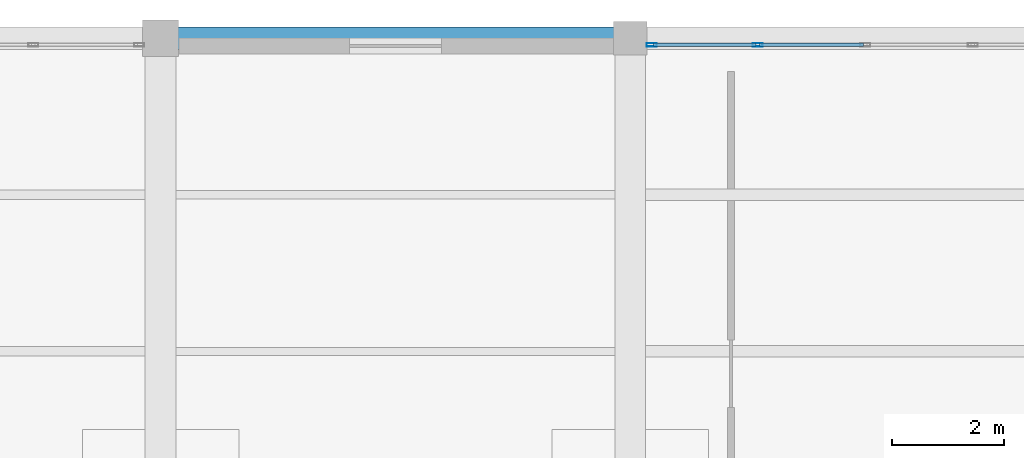
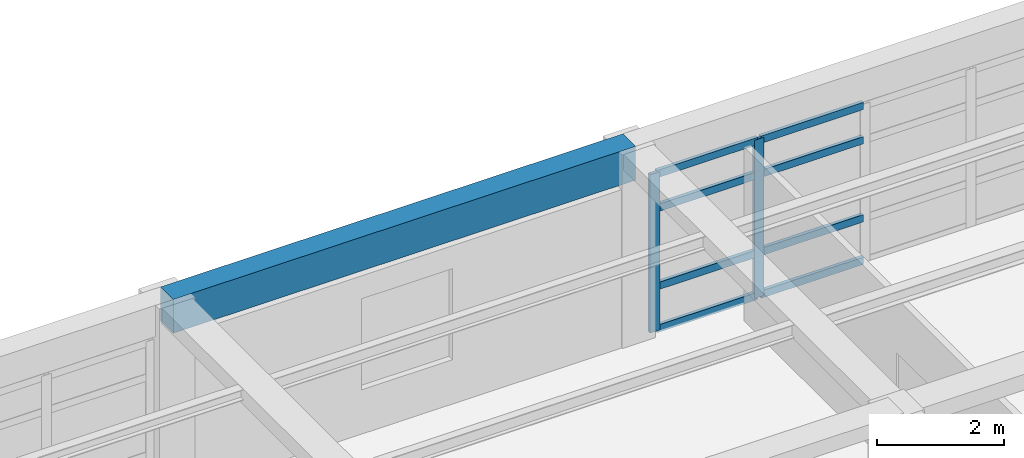
# One storey, part 19 of 26: 10 members, 1 beam, 1 element without a shape of its own.
"""IFC4 building model written with IfcOpenShell, lengths in metres."""

from ifc_helpers import new_model, si_unit, direction, frame, origin, origin_2d, place, context, subcontext, project, spatial, rectangle, hollow_rectangle, extrude, material, material_profile, profile_set, type_object, element, aggregate, save


model = new_model("IFC4")

# Units and contexts
model_context = context("Model", 3, precision=1e-05, world=origin(), true_north=direction((0.0, 1.0)))
body_context = subcontext(model_context, "Body", "Model", "MODEL_VIEW")
ifc_project = project(units=[si_unit("LENGTHUNIT", "METRE"), si_unit("AREAUNIT", "SQUARE_METRE"), si_unit("VOLUMEUNIT", "CUBIC_METRE"), si_unit("PLANEANGLEUNIT", "RADIAN"), si_unit("MASSUNIT", "GRAM", prefix="KILO")], contexts=[model_context])

# Site, building, storey
site_placement = place(None, origin())
site = spatial("IfcSite", under=ifc_project, at=site_placement, CompositionType="ELEMENT")
building_placement = place(site_placement, origin())
building = spatial("IfcBuilding", under=site, at=building_placement, Name="Almacenes y Pasaje Nevantli", CompositionType="ELEMENT")
storey_placement = place(building_placement, frame((0.0, 0.0, 42.699951171875)))
storey = spatial("IfcBuildingStorey", under=building, at=storey_placement, Name="L10", CompositionType="ELEMENT", Elevation=42.699951171875)

# Beam
ifc_material_1 = material(Name="Concrete C35/45", Category="concrete")
ifc_material_profile_1 = material_profile(ifc_material_1, rectangle(XDim=0.39990234375, YDim=0.64990234375, at=origin_2d()), Name="RC-BM-400x650")
ifc_profile_set_1 = profile_set([ifc_material_profile_1], Name="Concrete C35/45")
beam_type = type_object("IfcBeamType", Name="BM-RC-400x650", PredefinedType="SPANDREL", material=ifc_profile_set_1)
beam_placement = place(storey_placement, frame((134.39990234375, 100.800048828125, 3.39501953125), z_axis=(1.0, 0.0, 0.0), x_axis=(0.0, 1.0, 0.0)))
element("IfcBeam", 1, at=beam_placement, inside=storey, type_object=beam_type, Name="L10 East-West Reinforced Concrete Beam #3819", PredefinedType="SPANDREL", context=body_context, shape_type="SweptSolid", body=[
    extrude(rectangle(XDim=0.39990234375, YDim=0.64990234375, at=origin_2d()), origin(), (0.0, 0.0, 1.0), 8.400146484375),
])

# Curtain wall, members
ifc_material_2 = material(Name="Thermally Broken Aluminium and Low-E Glass", Category="aluminium")
curtain_wall_type = type_object("IfcCurtainWallType", Name="CW-UNIT-TOWER", PredefinedType="USERDEFINED", material=ifc_material_2)
curtain_wall_placement = place(storey_placement, origin())
curtain_wall = element("IfcCurtainWall", 2, at=curtain_wall_placement, inside=storey, type_object=curtain_wall_type, Name="L10 Tower North Boulevard Unitized Curtain Wall Bay 18", ObjectType="UNITIZED CURTAIN WALL", PredefinedType="USERDEFINED")
ifc_material_3 = material(Name="Thermally Broken Anodized Aluminium", Category="aluminium")
ifc_material_profile_2 = material_profile(ifc_material_3, hollow_rectangle(XDim=0.06494140625, YDim=0.179931640625, WallThickness=0.00390625, at=origin_2d()), Name="ALU-MUL-65x180")
ifc_profile_set_2 = profile_set([ifc_material_profile_2], Name="Thermally Broken Anodized Aluminium")
member_type_1 = type_object("IfcMemberType", Name="CW-MUL-200", PredefinedType="MULLION", material=ifc_profile_set_2)
member_1_placement = place(storey_placement, frame((143.1826171875, 100.679931640625, 0.0), z_axis=(0.0, 0.0, 1.0), x_axis=(0.0, 1.0, 0.0)))
member_1 = element("IfcMember", 3, at=member_1_placement, type_object=member_type_1, Name="CW-L10-144 mullion 1", PredefinedType="MULLION", context=body_context, shape_type="SweptSolid", body=[
    extrude(hollow_rectangle(XDim=0.06494140625, YDim=0.179931640625, WallThickness=0.00390625, at=origin_2d()), origin(), (0.0, 0.0, 1.0), 3.0400390625),
])
member_2_placement = place(storey_placement, frame((145.074951171875, 100.679931640625, 0.0), z_axis=(0.0, 0.0, 1.0), x_axis=(0.0, 1.0, 0.0)))
member_2 = element("IfcMember", 4, at=member_2_placement, type_object=member_type_1, Name="CW-L10-144 mullion 2", PredefinedType="MULLION", context=body_context, shape_type="SweptSolid", body=[
    extrude(hollow_rectangle(XDim=0.06494140625, YDim=0.179931640625, WallThickness=0.00390625, at=origin_2d()), origin(), (0.0, 0.0, 1.0), 3.0400390625),
])
ifc_material_4 = material(Name="Thermally Broken Anodized Aluminium", Category="aluminium")
ifc_material_profile_3 = material_profile(ifc_material_4, hollow_rectangle(XDim=0.06494140625, YDim=0.139892578125, WallThickness=0.00390625, at=origin_2d()), Name="ALU-TRN-65x140")
ifc_profile_set_3 = profile_set([ifc_material_profile_3], Name="Thermally Broken Anodized Aluminium")
member_type_2 = type_object("IfcMemberType", Name="CW-TRN-150", PredefinedType="USERDEFINED", material=ifc_profile_set_3)
member_3_placement = place(storey_placement, frame((143.215087890625, 100.679931640625, 0.032470703125), z_axis=(1.0, 0.0, 0.0), x_axis=(0.0, 1.0, 0.0)))
member_3 = element("IfcMember", 5, at=member_3_placement, type_object=member_type_2, Name="CW-L10-144 transom 1.1", ObjectType="TRANSOM", PredefinedType="USERDEFINED", context=body_context, shape_type="SweptSolid", body=[
    extrude(hollow_rectangle(XDim=0.06494140625, YDim=0.139892578125, WallThickness=0.00390625, at=origin_2d()), origin(), (0.0, 0.0, 1.0), 1.827392578125),
])
member_4_placement = place(storey_placement, frame((143.215087890625, 100.679931640625, 0.85009765625), z_axis=(1.0, 0.0, 0.0), x_axis=(0.0, 1.0, 0.0)))
member_4 = element("IfcMember", 6, at=member_4_placement, type_object=member_type_2, Name="CW-L10-144 transom 1.2", ObjectType="TRANSOM", PredefinedType="USERDEFINED", context=body_context, shape_type="SweptSolid", body=[
    extrude(hollow_rectangle(XDim=0.06494140625, YDim=0.139892578125, WallThickness=0.00390625, at=origin_2d()), origin(), (0.0, 0.0, 1.0), 1.827392578125),
])
member_5_placement = place(storey_placement, frame((143.215087890625, 100.679931640625, 2.35009765625), z_axis=(1.0, 0.0, 0.0), x_axis=(0.0, 1.0, 0.0)))
member_5 = element("IfcMember", 7, at=member_5_placement, type_object=member_type_2, Name="CW-L10-144 transom 1.3", ObjectType="TRANSOM", PredefinedType="USERDEFINED", context=body_context, shape_type="SweptSolid", body=[
    extrude(hollow_rectangle(XDim=0.06494140625, YDim=0.139892578125, WallThickness=0.00390625, at=origin_2d()), origin(), (0.0, 0.0, 1.0), 1.827392578125),
])
member_6_placement = place(storey_placement, frame((143.215087890625, 100.679931640625, 3.007568359375), z_axis=(1.0, 0.0, 0.0), x_axis=(0.0, 1.0, 0.0)))
member_6 = element("IfcMember", 8, at=member_6_placement, type_object=member_type_2, Name="CW-L10-144 transom 1.4", ObjectType="TRANSOM", PredefinedType="USERDEFINED", context=body_context, shape_type="SweptSolid", body=[
    extrude(hollow_rectangle(XDim=0.06494140625, YDim=0.139892578125, WallThickness=0.00390625, at=origin_2d()), origin(), (0.0, 0.0, 1.0), 1.827392578125),
])
member_7_placement = place(storey_placement, frame((145.107421875, 100.679931640625, 0.032470703125), z_axis=(1.0, 0.0, 0.0), x_axis=(0.0, 1.0, 0.0)))
member_7 = element("IfcMember", 9, at=member_7_placement, type_object=member_type_2, Name="CW-L10-144 transom 2.1", ObjectType="TRANSOM", PredefinedType="USERDEFINED", context=body_context, shape_type="SweptSolid", body=[
    extrude(hollow_rectangle(XDim=0.06494140625, YDim=0.139892578125, WallThickness=0.00390625, at=origin_2d()), origin(), (0.0, 0.0, 1.0), 1.860107421875),
])
member_8_placement = place(storey_placement, frame((145.107421875, 100.679931640625, 0.85009765625), z_axis=(1.0, 0.0, 0.0), x_axis=(0.0, 1.0, 0.0)))
member_8 = element("IfcMember", 10, at=member_8_placement, type_object=member_type_2, Name="CW-L10-144 transom 2.2", ObjectType="TRANSOM", PredefinedType="USERDEFINED", context=body_context, shape_type="SweptSolid", body=[
    extrude(hollow_rectangle(XDim=0.06494140625, YDim=0.139892578125, WallThickness=0.00390625, at=origin_2d()), origin(), (0.0, 0.0, 1.0), 1.860107421875),
])
member_9_placement = place(storey_placement, frame((145.107421875, 100.679931640625, 2.35009765625), z_axis=(1.0, 0.0, 0.0), x_axis=(0.0, 1.0, 0.0)))
member_9 = element("IfcMember", 11, at=member_9_placement, type_object=member_type_2, Name="CW-L10-144 transom 2.3", ObjectType="TRANSOM", PredefinedType="USERDEFINED", context=body_context, shape_type="SweptSolid", body=[
    extrude(hollow_rectangle(XDim=0.06494140625, YDim=0.139892578125, WallThickness=0.00390625, at=origin_2d()), origin(), (0.0, 0.0, 1.0), 1.860107421875),
])
member_10_placement = place(storey_placement, frame((145.107421875, 100.679931640625, 3.007568359375), z_axis=(1.0, 0.0, 0.0), x_axis=(0.0, 1.0, 0.0)))
member_10 = element("IfcMember", 12, at=member_10_placement, type_object=member_type_2, Name="CW-L10-144 transom 2.4", ObjectType="TRANSOM", PredefinedType="USERDEFINED", context=body_context, shape_type="SweptSolid", body=[
    extrude(hollow_rectangle(XDim=0.06494140625, YDim=0.139892578125, WallThickness=0.00390625, at=origin_2d()), origin(), (0.0, 0.0, 1.0), 1.860107421875),
])
aggregate(curtain_wall, [member_1, member_2, member_3, member_4, member_5, member_6, member_7, member_8, member_9, member_10])

save(model, "model.ifc")
